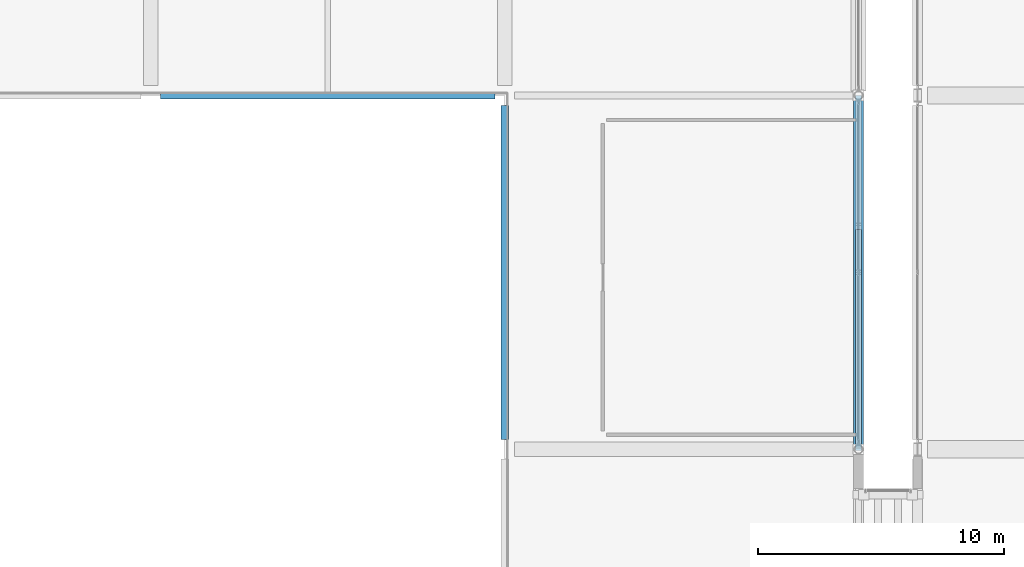
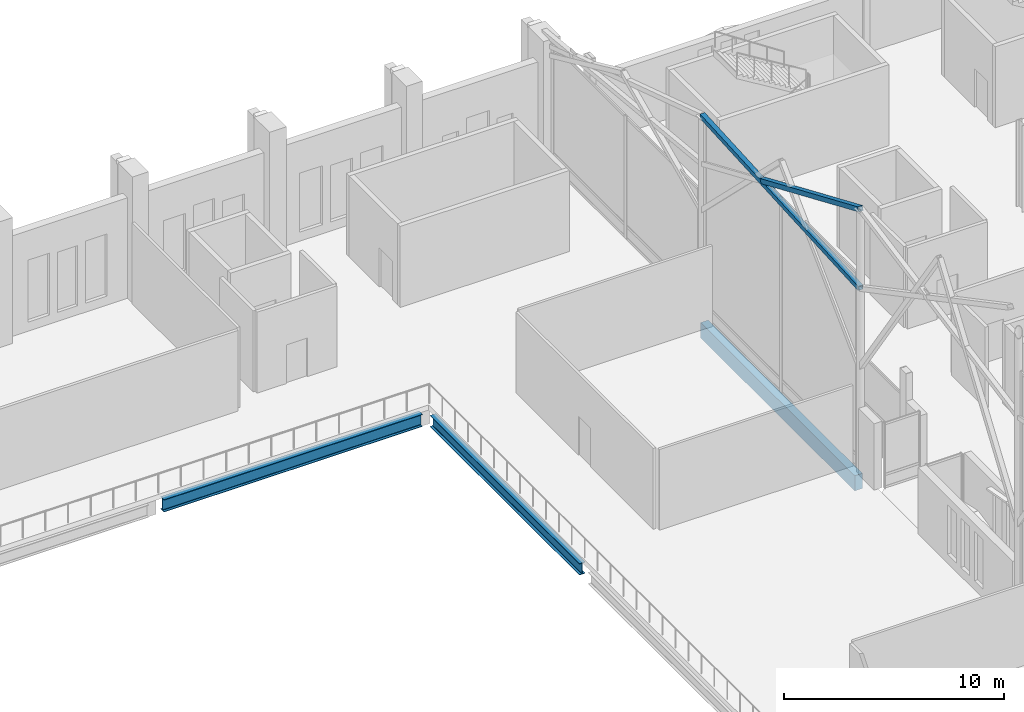
# One storey, part 77 of 220: 3 beams, 2 members.
"""IFC4 building model written with IfcOpenShell, lengths in metres."""

from ifc_helpers import new_model, si_unit, direction, frame, origin, origin_2d, place, context, subcontext, project, spatial, rectangle, hollow_rectangle, i_section, extrude, material, material_profile, profile_set, type_object, element, save


model = new_model("IFC4")

# Units and contexts
model_context = context("Model", 3, precision=1e-05, world=origin(), true_north=direction((0.0, 1.0)))
body_context = subcontext(model_context, "Body", "Model", "MODEL_VIEW")
ifc_project = project(units=[si_unit("LENGTHUNIT", "METRE"), si_unit("AREAUNIT", "SQUARE_METRE"), si_unit("VOLUMEUNIT", "CUBIC_METRE"), si_unit("PLANEANGLEUNIT", "RADIAN"), si_unit("MASSUNIT", "GRAM", prefix="KILO")], contexts=[model_context])

# Site, building, storey
site_placement = place(None, origin())
site = spatial("IfcSite", under=ifc_project, at=site_placement, CompositionType="ELEMENT")
building_placement = place(site_placement, origin())
building = spatial("IfcBuilding", under=site, at=building_placement, Name="Cendralis Lancet Convention Centre", CompositionType="ELEMENT")
storey_placement = place(building_placement, frame((0.0, 0.0, 5.39990234375)))
storey = spatial("IfcBuildingStorey", under=building, at=storey_placement, Name="L01", CompositionType="ELEMENT", Elevation=5.39990234375)

# Beams
ifc_material_1 = material(Name="Steel S355", Category="steel")
ifc_material_profile_1 = material_profile(ifc_material_1, i_section(OverallWidth=0.300048828125, OverallDepth=0.68994140625, WebThickness=0.014404296875, FlangeThickness=0.027099609375, FilletRadius=0.027099609375, at=origin_2d()), Name="HEA 700")
ifc_profile_set_1 = profile_set([ifc_material_profile_1], Name="Steel S355")
beam_type_1 = type_object("IfcBeamType", Name="STR-BM-SG08", PredefinedType="BEAM", material=ifc_profile_set_1)
beam_1_placement = place(storey_placement, frame((94.0, 122.39990234375, -0.625), z_axis=(1.0, 0.0, 0.0), x_axis=(0.0, 1.0, 0.0)))
element("IfcBeam", 1, at=beam_1_placement, inside=storey, type_object=beam_type_1, Name="L01 Beam SG08 #1253", PredefinedType="BEAM", context=body_context, shape_type="SweptSolid", body=[
    extrude(i_section(OverallWidth=0.300048828125, OverallDepth=0.68994140625, WebThickness=0.014404296875, FlangeThickness=0.027099609375, FilletRadius=0.027099609375, at=origin_2d()), origin(), (0.0, 0.0, 1.0), 13.60009765625),
])
ifc_material_profile_2 = material_profile(ifc_material_1, i_section(OverallWidth=0.300048828125, OverallDepth=0.639892578125, WebThickness=0.013427734375, FlangeThickness=0.02587890625, FilletRadius=0.027099609375, at=origin_2d()), Name="HEA 650")
ifc_profile_set_2 = profile_set([ifc_material_profile_2], Name="Steel S355")
beam_type_2 = type_object("IfcBeamType", Name="STR-BM-SG09", PredefinedType="BEAM", material=ifc_profile_set_2)
beam_2_placement = place(storey_placement, frame((108.0, 108.39990234375, -0.599853515625), z_axis=(0.0, 1.0, 0.0), x_axis=(-1.0, 0.0, 0.0)))
element("IfcBeam", 2, at=beam_2_placement, inside=storey, type_object=beam_type_2, Name="L01 Beam SG09 #1295", PredefinedType="BEAM", context=body_context, shape_type="SweptSolid", body=[
    extrude(i_section(OverallWidth=0.300048828125, OverallDepth=0.639892578125, WebThickness=0.013427734375, FlangeThickness=0.02587890625, FilletRadius=0.027099609375, at=origin_2d()), origin(), (0.0, 0.0, 1.0), 13.60009765625),
])

# Members
ifc_material_profile_3 = material_profile(ifc_material_1, hollow_rectangle(XDim=0.25, YDim=0.25, WallThickness=0.012451171875, at=origin_2d()), Name="SHS 250x250x12.5")
ifc_profile_set_3 = profile_set([ifc_material_profile_3], Name="Steel S355")
member_type = type_object("IfcMemberType", Name="STR-BR-GB01", PredefinedType="BRACE", material=ifc_profile_set_3)
member_1_placement = place(storey_placement, frame((122.39990234375, 108.0, 10.203125), z_axis=(0.0, 0.998270928095, 0.05878055904), x_axis=(-1.0, 0.0, 0.0)))
element("IfcMember", 3, at=member_1_placement, inside=storey, type_object=member_type, Name="Exhibition Gable Gothic Ogival Tracery Rib GBR1 #053", PredefinedType="BRACE", context=body_context, shape_type="SweptSolid", body=[
    extrude(hollow_rectangle(XDim=0.25, YDim=0.25, WallThickness=0.012451171875, at=origin_2d()), origin(), (0.0, 0.0, 1.0), 14.4248046875),
])
member_2_placement = place(storey_placement, frame((122.39990234375, 116.8876953125, 10.79150390625), z_axis=(0.0, -0.918932074536, 0.394415824212), x_axis=(1.0, 0.0, 0.0)))
element("IfcMember", 4, at=member_2_placement, inside=storey, type_object=member_type, Name="Exhibition Gable Split X-Brace Rib GBR1 #055", PredefinedType="BRACE", context=body_context, shape_type="SweptSolid", body=[
    extrude(hollow_rectangle(XDim=0.25, YDim=0.25, WallThickness=0.012451171875, at=origin_2d()), origin(), (0.0, 0.0, 1.0), 9.671875),
])

# Beam
ifc_material_2 = material(Name="Concrete G40 (C40/50)", Category="concrete")
ifc_material_profile_4 = material_profile(ifc_material_2, rectangle(XDim=0.39990234375, YDim=0.85009765625, at=origin_2d()), Name="RCB 400x850")
ifc_profile_set_4 = profile_set([ifc_material_profile_4], Name="Concrete G40 (C40/50)")
beam_type_3 = type_object("IfcBeamType", Name="STR-SP-SP02", PredefinedType="SPANDREL", material=ifc_profile_set_4)
beam_3_placement = place(storey_placement, frame((122.39990234375, 108.177734375, -0.704833984375), z_axis=(0.0, 1.0, 0.0), x_axis=(-1.0, 0.0, 0.0)))
element("IfcBeam", 5, at=beam_3_placement, inside=storey, type_object=beam_type_3, Name="L01 Beam SP02 #1294", PredefinedType="SPANDREL", context=body_context, shape_type="SweptSolid", body=[
    extrude(rectangle(XDim=0.39990234375, YDim=0.85009765625, at=origin_2d()), origin(), (0.0, 0.0, 1.0), 14.04443359375),
])

save(model, "model.ifc")
